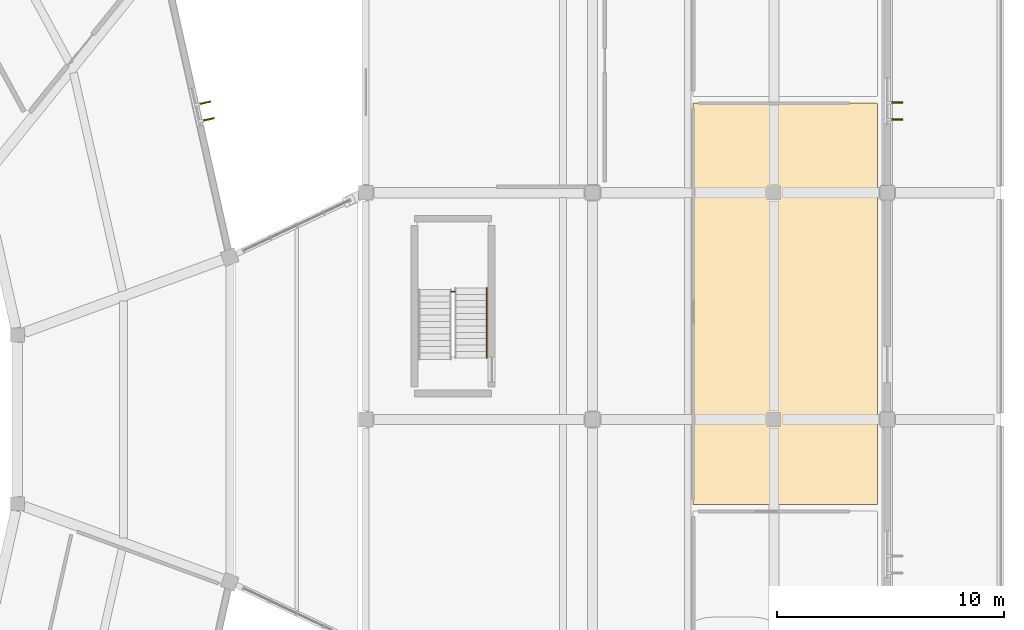
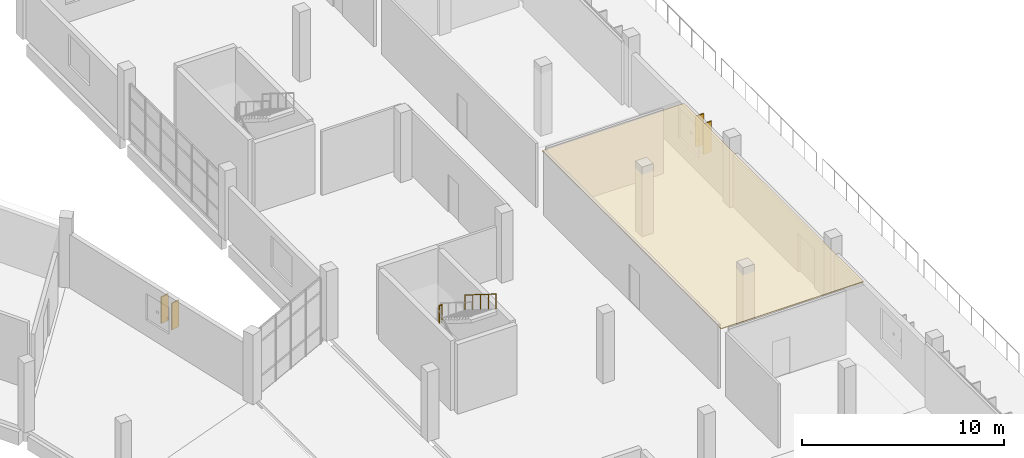
# One storey, part 140 of 142: 4 shading devices, 2 railings, 1 covering.
"""IFC4 building model written with IfcOpenShell, lengths in metres."""

from ifc_helpers import new_model, si_unit, direction, frame, origin, origin_2d, place, context, subcontext, project, spatial, polyline, rectangle, circle, outline, extrude, material, layer, layer_set, type_object, element, save


model = new_model("IFC4")

# Units and contexts
model_context = context("Model", 3, precision=1e-05, world=origin(), true_north=direction((0.0, 1.0)))
body_context = subcontext(model_context, "Body", "Model", "MODEL_VIEW")
ifc_project = project(units=[si_unit("LENGTHUNIT", "METRE"), si_unit("AREAUNIT", "SQUARE_METRE"), si_unit("VOLUMEUNIT", "CUBIC_METRE"), si_unit("PLANEANGLEUNIT", "RADIAN"), si_unit("MASSUNIT", "GRAM", prefix="KILO")], contexts=[model_context])

# Site, building, storey
site_placement = place(None, origin())
site = spatial("IfcSite", under=ifc_project, at=site_placement, CompositionType="ELEMENT")
building_placement = place(site_placement, origin())
building = spatial("IfcBuilding", under=site, at=building_placement, Name="Corvandel Quay Wholesale Market", CompositionType="ELEMENT")
storey_placement = place(building_placement, frame((0.0, 0.0, 10.800048828125)))
storey = spatial("IfcBuildingStorey", under=building, at=storey_placement, Name="L02", CompositionType="ELEMENT", Elevation=10.800048828125)

# Covering
ifc_material_1 = material(Name="Perforated powder-coated aluminium acoustic panel", Category="aluminium")
ifc_layer_1 = layer(ifc_material_1, 0.044921875)
ifc_layer_set_1 = layer_set([ifc_layer_1], Name="Perforated powder-coated aluminium acoustic panel")
covering_type = type_object("IfcCoveringType", Name="Perforated Acoustic Baffle Ceiling CLG01", PredefinedType="CEILING", material=ifc_layer_set_1)
covering_placement = place(storey_placement, frame((0.0, 0.0, 3.7099609375)))
element("IfcCovering", 1, at=covering_placement, inside=storey, type_object=covering_type, Name="Suspended Ceiling CLG-032", PredefinedType="CEILING", context=body_context, shape_type="SweptSolid", body=[
    extrude(outline(polyline([(234.4580078125, 56.239990234375), (234.4560546875, 56.239990234375), (234.4541015625, 56.240966796875), (234.451904296875, 56.241943359375), (234.450927734375, 56.241943359375), (234.448974609375, 56.242919921875), (234.447021484375, 56.2451171875), (234.446044921875, 56.24609375), (234.445068359375, 56.2470703125), (234.443115234375, 56.2490234375), (234.44189453125, 56.2509765625), (234.44189453125, 56.251953125), (234.44091796875, 56.25390625), (234.43994140625, 56.256103515625), (234.43994140625, 56.258056640625), (234.43994140625, 56.260009765625), (234.43994140625, 73.93994140625), (234.43994140625, 73.94189453125), (234.43994140625, 73.944091796875), (234.44091796875, 73.946044921875), (234.44189453125, 73.947998046875), (234.44189453125, 73.948974609375), (234.443115234375, 73.950927734375), (234.445068359375, 73.952880859375), (234.446044921875, 73.9541015625), (234.447021484375, 73.955078125), (234.448974609375, 73.95703125), (234.450927734375, 73.9580078125), (234.451904296875, 73.9580078125), (234.4541015625, 73.958984375), (234.4560546875, 73.9599609375), (234.4580078125, 73.9599609375), (234.4599609375, 73.9599609375), (242.5400390625, 73.9599609375), (242.5419921875, 73.9599609375), (242.5439453125, 73.9599609375), (242.5458984375, 73.958984375), (242.548095703125, 73.9580078125), (242.549072265625, 73.9580078125), (242.551025390625, 73.95703125), (242.552978515625, 73.955078125), (242.553955078125, 73.9541015625), (242.554931640625, 73.952880859375), (242.556884765625, 73.950927734375), (242.55810546875, 73.948974609375), (242.55810546875, 73.947998046875), (242.55908203125, 73.946044921875), (242.56005859375, 73.944091796875), (242.56005859375, 73.94189453125), (242.56005859375, 73.93994140625), (242.56005859375, 56.260009765625), (242.56005859375, 56.258056640625), (242.56005859375, 56.256103515625), (242.55908203125, 56.25390625), (242.55810546875, 56.251953125), (242.55810546875, 56.2509765625), (242.556884765625, 56.2490234375), (242.554931640625, 56.2470703125), (242.553955078125, 56.24609375), (242.552978515625, 56.2451171875), (242.551025390625, 56.242919921875), (242.549072265625, 56.241943359375), (242.548095703125, 56.241943359375), (242.5458984375, 56.240966796875), (242.5439453125, 56.239990234375), (242.5419921875, 56.239990234375), (242.5400390625, 56.239990234375), (234.4599609375, 56.239990234375), (234.4580078125, 56.239990234375)])), origin(), (0.0, 0.0, 1.0), 0.044921875),
])

# Railings
ifc_material_2 = material(Name="Painted galvanised tubular steel", Category="steel")
ifc_layer_2 = layer(ifc_material_2, 0.054931640625)
ifc_layer_set_2 = layer_set([ifc_layer_2], Name="Painted galvanised tubular steel")
railing_type_1 = type_object("IfcRailingType", Name="Stairwell Inner Guard Railing GR02 1100mm", PredefinedType="GUARDRAIL", material=ifc_layer_set_2)
railing_1_placement = place(storey_placement, frame((223.77001953125, 65.6298828125, 2.099853515625)))
element("IfcRailing", 2, at=railing_1_placement, inside=storey, type_object=railing_type_1, Name="Stair Landing Well Guard 0188", PredefinedType="GUARDRAIL", context=body_context, shape_type="SweptSolid", body=[
    extrude(circle(Radius=0.02392578125, at=origin_2d()), frame((0.0, 0.0, 1.076171875), z_axis=(1.0, 0.0, 0.0), x_axis=(0.0, 1.0, 0.0)), (0.0, 0.0, 1.0), 0.159912109375),
    extrude(circle(Radius=0.02099609375, at=origin_2d()), origin(), (0.0, 0.0, 1.0), 1.052001953125),
    extrude(circle(Radius=0.02099609375, at=origin_2d()), frame((0.159912109375, 0.0, 0.0)), (0.0, 0.0, 1.0), 1.052001953125),
])
ifc_material_3 = material(Name="Brushed austenitic stainless steel Grade 316", Category="steel")
ifc_layer_3 = layer(ifc_material_3, 0.048095703125)
ifc_layer_set_3 = layer_set([ifc_layer_3], Name="Brushed austenitic stainless steel Grade 316")
railing_type_2 = type_object("IfcRailingType", Name="Tubular Stainless Stair Handrail HR01 915mm", PredefinedType="HANDRAIL", material=ifc_layer_set_3)
railing_2_placement = place(storey_placement, frame((225.340087890625, 65.800048828125, 2.27490234375)))
element("IfcRailing", 3, at=railing_2_placement, inside=storey, type_object=railing_type_2, Name="Stair Handrail 0187", PredefinedType="HANDRAIL", context=body_context, shape_type="SweptSolid", body=[
    extrude(circle(Radius=0.02392578125, at=origin_2d()), frame((0.0, 0.0, 0.89111328125), z_axis=(0.0, -0.847998304005, 0.529998940003), x_axis=(1.0, 0.0, 0.0)), (0.0, 0.0, 1.0), 3.632080078125),
    extrude(circle(Radius=0.02099609375, at=origin_2d()), origin(), (0.0, 0.0, 1.0), 0.866943359375),
    extrude(circle(Radius=0.02099609375, at=origin_2d()), frame((0.0, -0.77001953125, 0.481201171875)), (0.0, 0.0, 1.0), 0.866943359375),
    extrude(circle(Radius=0.02099609375, at=origin_2d()), frame((0.0, -1.5400390625, 0.96240234375)), (0.0, 0.0, 1.0), 0.866943359375),
    extrude(circle(Radius=0.02099609375, at=origin_2d()), frame((0.0, -2.31005859375, 1.44384765625)), (0.0, 0.0, 1.0), 0.866943359375),
    extrude(circle(Radius=0.02099609375, at=origin_2d()), frame((0.0, -3.080078125, 1.925048828125)), (0.0, 0.0, 1.0), 0.866943359375),
])

# Shading devices
ifc_material_4 = material(Name="Bronze anodised extruded aluminium 6063-T6", Category="aluminium")
shading_device_type = type_object("IfcShadingDeviceType", Name="Vertical Anodised Bronze Solar Fin FN01 480mm", PredefinedType="JALOUSIE", material=ifc_material_4)
for number, where, z_axis, x_axis, name in (
    (4, (213.087158203125, 73.238525390625, 0.949951171875), (0.0, 0.0, 1.0), (0.975726024471, 0.218994806262, 0.0), "Solar Fin 0452"),
    (5, (212.9228515625, 73.970458984375, 0.949951171875), (0.0, 0.0, 1.0), (0.975726024471, 0.218994806262, 0.0), "Solar Fin 0453"),
):
    element("IfcShadingDevice", number, at=place(storey_placement, frame(where, z_axis=z_axis, x_axis=x_axis)), inside=storey, type_object=shading_device_type, Name=name, PredefinedType="JALOUSIE", context=body_context, shape_type="SweptSolid", body=[
        extrude(rectangle(XDim=0.47998046875, YDim=0.06494140625, at=origin_2d()), origin(), (0.0, 0.0, 1.0), 1.60009765625),
    ])
for number, where, z_axis, x_axis, name in (
    (6, (243.43994140625, 73.219970703125, 0.89990234375), (0.0, 0.0, 1.0), (1.0, 0.0, 0.0), "Solar Fin 0703"),
    (7, (243.43994140625, 73.969970703125, 0.89990234375), (0.0, 0.0, 1.0), (1.0, 0.0, 0.0), "Solar Fin 0704"),
):
    element("IfcShadingDevice", number, at=place(storey_placement, frame(where, z_axis=z_axis, x_axis=x_axis)), inside=storey, type_object=shading_device_type, Name=name, PredefinedType="JALOUSIE", context=body_context, shape_type="SweptSolid", body=[
        extrude(rectangle(XDim=0.47998046875, YDim=0.06494140625, at=origin_2d()), origin(), (0.0, 0.0, 1.0), 1.85009765625),
    ])

save(model, "model.ifc")
